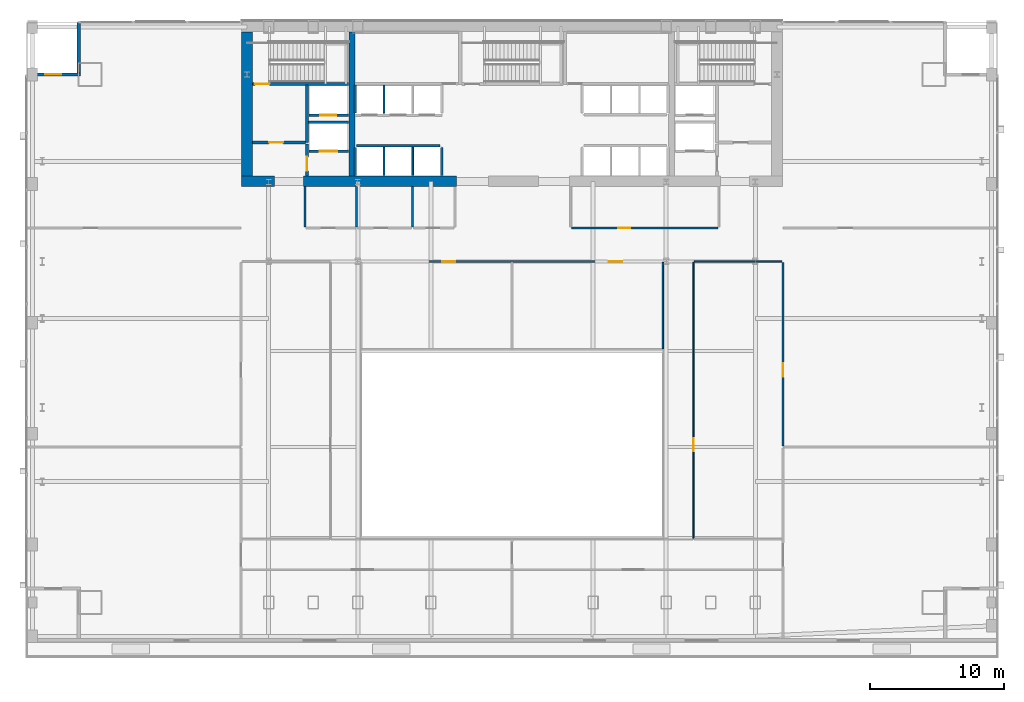
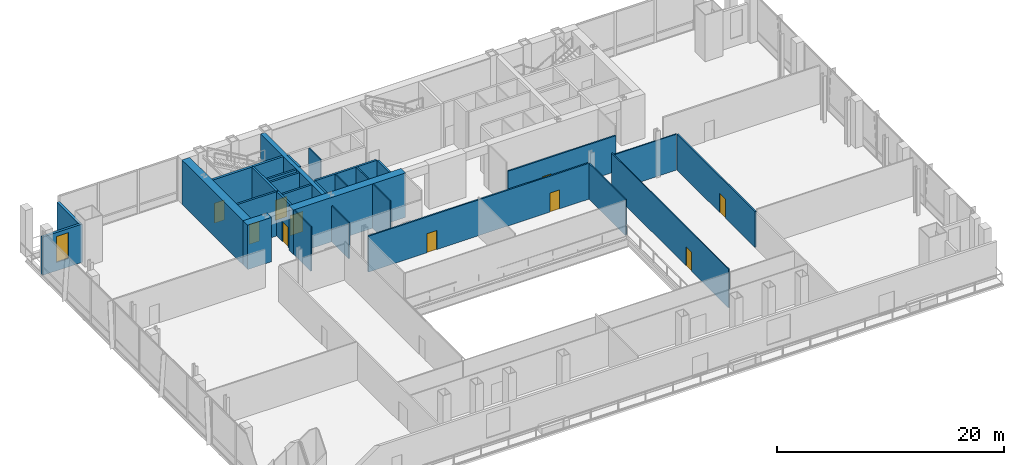
# One storey, part 20 of 25: 29 walls, 10 doors, 1 window, 11 openings.
"""IFC4 building model written with IfcOpenShell, lengths in metres."""

from ifc_helpers import new_model, si_unit, direction, frame, frame_2d, origin, place, context, subcontext, project, spatial, rectangle, extrude, material, layer, layer_set, type_object, element, fill, save


model = new_model("IFC4")

# Units and contexts
model_context = context("Model", 3, precision=1e-05, world=origin(), true_north=direction((0.0, 1.0)))
body_context = subcontext(model_context, "Body", "Model", "MODEL_VIEW")
ifc_project = project(units=[si_unit("LENGTHUNIT", "METRE"), si_unit("AREAUNIT", "SQUARE_METRE"), si_unit("VOLUMEUNIT", "CUBIC_METRE"), si_unit("PLANEANGLEUNIT", "RADIAN"), si_unit("MASSUNIT", "GRAM", prefix="KILO")], contexts=[model_context])

# Site, building, storey
site_placement = place(None, origin())
site = spatial("IfcSite", under=ifc_project, at=site_placement, CompositionType="ELEMENT")
building_placement = place(site_placement, origin())
building = spatial("IfcBuilding", under=site, at=building_placement, Name="Khoronbel Lancet Exchange", CompositionType="ELEMENT")
storey_placement = place(building_placement, frame((0.0, 0.0, 15.39990234375)))
storey = spatial("IfcBuildingStorey", under=building, at=storey_placement, Name="L03", CompositionType="ELEMENT", Elevation=15.39990234375)

# Walls
ifc_material_1 = material(Name="Concrete C80/95", Category="concrete")
ifc_layer_1 = layer(ifc_material_1, 0.800048828125, Name="Concrete C80/95")
ifc_layer_set_1 = layer_set([ifc_layer_1], Name="Concrete C80/95")
wall_type_1 = type_object("IfcWallType", Name="WL-CW1", PredefinedType="SHEAR", material=ifc_layer_set_1)
wall_1_placement = place(storey_placement, frame((16.60009765625, 42.10009765625, 0.0), z_axis=(0.0, 0.0, 1.0), x_axis=(0.0, 1.0, 0.0)))
element("IfcWall", 1, at=wall_1_placement, inside=storey, type_object=wall_type_1, Name="Level L03 rear core west shear wall", PredefinedType="SHEAR", context=body_context, shape_type="SweptSolid", body=[
    extrude(rectangle(XDim=10.7998046875, YDim=0.800048828125, at=frame_2d((5.39990234375, 0.0))), origin(), (0.0, 0.0, 1.0), 4.780029296875),
])
wall_2_placement = place(storey_placement, frame((18.64990234375, 41.699951171875, 0.0), z_axis=(0.0, 0.0, 1.0), x_axis=(-1.0, 0.0, 0.0)))
element("IfcWall", 2, at=wall_2_placement, inside=storey, type_object=wall_type_1, Name="Level L03 rear core south shear wall pier P1", PredefinedType="SHEAR", context=body_context, shape_type="SweptSolid", body=[
    extrude(rectangle(XDim=2.449951171875, YDim=0.800048828125, at=frame_2d((1.22509765625, 0.0))), origin(), (0.0, 0.0, 1.0), 4.780029296875),
])
wall_3_placement = place(storey_placement, frame((32.300048828125, 41.699951171875, 0.0), z_axis=(0.0, 0.0, 1.0), x_axis=(-1.0, 0.0, 0.0)))
element("IfcWall", 3, at=wall_3_placement, inside=storey, type_object=wall_type_1, Name="Level L03 rear core south shear wall pier P2", PredefinedType="SHEAR", context=body_context, shape_type="SweptSolid", body=[
    extrude(rectangle(XDim=11.449951171875, YDim=0.800048828125, at=frame_2d((5.72509765625, 0.0))), origin(), (0.0, 0.0, 1.0), 4.780029296875),
])

# Wall, opening, window
ifc_material_2 = material(Name="Precast concrete C40/50", Category="concrete")
ifc_layer_2 = layer(ifc_material_2, 0.25, Name="Precast concrete C40/50")
ifc_layer_set_2 = layer_set([ifc_layer_2], Name="Precast concrete C40/50")
wall_type_2 = type_object("IfcWallType", Name="WL-EXT250", PredefinedType="SOLIDWALL", material=ifc_layer_set_2)
wall_4_placement = place(storey_placement, frame((0.080078125, 49.699951171875, 0.0), z_axis=(0.0, 0.0, 1.0), x_axis=(1.0, 0.0, 0.0)))
wall_4 = element("IfcWall", 4, at=wall_4_placement, inside=storey, type_object=wall_type_2, Name="Level L03 corner notch exterior wall NWL3", PredefinedType="SOLIDWALL", context=body_context, shape_type="SweptSolid", body=[
    extrude(rectangle(XDim=4.044921875, YDim=0.25, at=frame_2d((2.0224609375, 0.0))), origin(), (0.0, 0.0, 1.0), 4.1201171875),
])
opening_1_placement = place(wall_4_placement, frame((1.422607421875, 0.0, 0.89990234375)))
opening_1 = element("IfcOpeningElement", 5, at=opening_1_placement, cuts=wall_4, Name="Opening W2", PredefinedType="OPENING", context=body_context, shape_type="SweptSolid", body=[
    extrude(rectangle(XDim=1.199951171875, YDim=2.800048828125, at=frame_2d((0.60009765625, 1.39990234375))), frame((0.0, 0.135009765625, 0.0), z_axis=(0.0, -1.0, 0.0), x_axis=(1.0, 0.0, 0.0)), (0.0, 0.0, 1.0), 0.27001953125),
])
ifc_material_3 = material(Name="Low-E Solar Control Insulating Glass", Category="glass")
window_type = type_object("IfcWindowType", Name="WIN-W2", PartitioningType="SINGLE_PANEL", PredefinedType="WINDOW", material=ifc_material_3)
window_placement = place(opening_1_placement, origin())
window = element("IfcWindow", 6, at=window_placement, inside=storey, type_object=window_type, Name="WIN-L03-NWL3", OverallHeight=2.800048828125, OverallWidth=1.199951171875, PartitioningType="SINGLE_PANEL", PredefinedType="WINDOW", context=body_context, shape_type="SweptSolid", body=[
    extrude(rectangle(XDim=1.199951171875, YDim=2.800048828125, at=frame_2d((0.60009765625, 1.39990234375))), frame((0.0, 0.030029296875, 0.0), z_axis=(0.0, -1.0, 0.0), x_axis=(1.0, 0.0, 0.0)), (0.0, 0.0, 1.0), 0.06005859375),
])
fill(opening_1, window)

# Wall
wall_5_placement = place(storey_placement, frame((4.0, 49.824951171875, 0.0), z_axis=(0.0, 0.0, 1.0), x_axis=(0.0, 1.0, 0.0)))
element("IfcWall", 7, at=wall_5_placement, inside=storey, type_object=wall_type_2, Name="Level L03 corner notch exterior wall NWV3", PredefinedType="SOLIDWALL", context=body_context, shape_type="SweptSolid", body=[
    extrude(rectangle(XDim=3.795166015625, YDim=0.25, at=frame_2d((1.8974609375, 0.0))), origin(), (0.0, 0.0, 1.0), 4.1201171875),
])

# Wall, opening, door
ifc_material_4 = material(Name="Demountable Bronze-Framed Acoustic Glass Partition 100 mm", Category="glass")
ifc_layer_3 = layer(ifc_material_4, 0.10009765625, Name="Demountable Bronze-Framed Acoustic Glass Partition 100 mm")
ifc_layer_set_3 = layer_set([ifc_layer_3], Name="Demountable Bronze-Framed Acoustic Glass Partition 100 mm")
wall_type_3 = type_object("IfcWallType", Name="WL-MOV100", PredefinedType="MOVABLE", material=ifc_layer_set_3)
wall_6_placement = place(storey_placement, frame((50.050048828125, 14.965087890625, 0.0), z_axis=(0.0, 0.0, 1.0), x_axis=(0.0, 1.0, 0.0)))
wall_6 = element("IfcWall", 8, at=wall_6_placement, inside=storey, type_object=wall_type_3, Name="Level L03 interior partition PW-PD-MEW", PredefinedType="MOVABLE", context=body_context, shape_type="SweptSolid", body=[
    extrude(rectangle(XDim=20.669921875, YDim=0.10009765625, at=frame_2d((10.3349609375, 0.0))), origin(), (0.0, 0.0, 1.0), 4.170166015625),
])
opening_2_placement = place(wall_6_placement, frame((6.5, 0.0, 0.0)))
opening_2 = element("IfcOpeningElement", 9, at=opening_2_placement, cuts=wall_6, Name="Opening D8", PredefinedType="OPENING", context=body_context, shape_type="SweptSolid", body=[
    extrude(rectangle(XDim=1.0, YDim=2.050048828125, at=frame_2d((0.5, 1.02490234375))), frame((0.0, 0.06005859375, 0.0), z_axis=(0.0, -1.0, 0.0), x_axis=(1.0, 0.0, 0.0)), (0.0, 0.0, 1.0), 0.1201171875),
])
ifc_material_5 = material(Name="Acoustic Bronze-Framed Glass Suite Door", Category="glass")
door_type_1 = type_object("IfcDoorType", Name="DR-D8", OperationType="NOTDEFINED", PredefinedType="DOOR", material=ifc_material_5)
door_1_placement = place(opening_2_placement, origin())
door_1 = element("IfcDoor", 10, at=door_1_placement, inside=storey, type_object=door_type_1, Name="East mezzanine research suite door L03-1", OperationType="SINGLE_SWING_LEFT", OverallHeight=2.050048828125, OverallWidth=1.0, PredefinedType="DOOR", context=body_context, shape_type="SweptSolid", body=[
    extrude(rectangle(XDim=1.0, YDim=2.050048828125, at=frame_2d((0.5, 1.02490234375))), frame((0.0, 0.02490234375, 0.0), z_axis=(0.0, -1.0, 0.0), x_axis=(1.0, 0.0, 0.0)), (0.0, 0.0, 1.0), 0.050048828125),
])
fill(opening_2, door_1)

# Walls
ifc_material_6 = material(Name="Acoustic Metal-Stud & Mineral-Wool Gypsum Partition 120 mm", Category="gypsum")
ifc_layer_4 = layer(ifc_material_6, 0.1201171875, Name="Acoustic Metal-Stud & Mineral-Wool Gypsum Partition 120 mm")
ifc_layer_set_4 = layer_set([ifc_layer_4], Name="Acoustic Metal-Stud & Mineral-Wool Gypsum Partition 120 mm")
wall_type_4 = type_object("IfcWallType", Name="WL-PRT120", PredefinedType="PARTITIONING", material=ifc_layer_set_4)
wall_7_placement = place(storey_placement, frame((47.75, 29.175048828125, 0.0), z_axis=(0.0, 0.0, 1.0), x_axis=(0.0, 1.0, 0.0)))
element("IfcWall", 11, at=wall_7_placement, inside=storey, type_object=wall_type_4, Name="Level L03 interior partition PW-PD-NSE", PredefinedType="PARTITIONING", context=body_context, shape_type="SweptSolid", body=[
    extrude(rectangle(XDim=6.445068359375, YDim=0.1201171875, at=frame_2d((3.22265625, 0.0))), origin(), (0.0, 0.0, 1.0), 3.8701171875),
])
wall_8_placement = place(storey_placement, frame((20.949951171875, 38.280029296875, 0.0), z_axis=(0.0, 0.0, 1.0), x_axis=(0.0, 1.0, 0.0)))
element("IfcWall", 12, at=wall_8_placement, inside=storey, type_object=wall_type_4, Name="Level L03 interior partition PW-PD-WC0", PredefinedType="PARTITIONING", context=body_context, shape_type="SweptSolid", body=[
    extrude(rectangle(XDim=3.02001953125, YDim=0.1201171875, at=frame_2d((1.510009765625, 0.0))), origin(), (0.0, 0.0, 1.0), 4.780029296875),
])
wall_9_placement = place(storey_placement, frame((24.800048828125, 38.280029296875, 0.0), z_axis=(0.0, 0.0, 1.0), x_axis=(0.0, 1.0, 0.0)))
element("IfcWall", 13, at=wall_9_placement, inside=storey, type_object=wall_type_4, Name="Level L03 interior partition PW-PD-WC1", PredefinedType="PARTITIONING", context=body_context, shape_type="SweptSolid", body=[
    extrude(rectangle(XDim=3.02001953125, YDim=0.1201171875, at=frame_2d((1.510009765625, 0.0))), origin(), (0.0, 0.0, 1.0), 3.8701171875),
])
wall_10_placement = place(storey_placement, frame((29.0, 38.280029296875, 0.0), z_axis=(0.0, 0.0, 1.0), x_axis=(0.0, 1.0, 0.0)))
element("IfcWall", 14, at=wall_10_placement, inside=storey, type_object=wall_type_4, Name="Level L03 interior partition PW-PD-WC2", PredefinedType="PARTITIONING", context=body_context, shape_type="SweptSolid", body=[
    extrude(rectangle(XDim=3.02001953125, YDim=0.1201171875, at=frame_2d((1.510009765625, 0.0))), origin(), (0.0, 0.0, 1.0), 4.780029296875),
])
wall_11_placement = place(storey_placement, frame((50.10498046875, 35.699951171875, 0.0), z_axis=(0.0, 0.0, 1.0), x_axis=(1.0, 0.0, 0.0)))
element("IfcWall", 15, at=wall_11_placement, inside=storey, type_object=wall_type_4, Name="Level L03 interior partition PW-PD-MES", PredefinedType="PARTITIONING", context=body_context, shape_type="SweptSolid", body=[
    extrude(rectangle(XDim=6.554931640625, YDim=0.1201171875, at=frame_2d((3.27734375, 0.0))), origin(), (0.0, 0.0, 1.0), 3.8701171875),
])
ifc_material_7 = material(Name="Fire-Rated Metal-Stud & Mineral-Wool Gypsum Partition 120 mm", Category="gypsum")
ifc_layer_5 = layer(ifc_material_7, 0.1201171875, Name="Fire-Rated Metal-Stud & Mineral-Wool Gypsum Partition 120 mm")
ifc_layer_set_5 = layer_set([ifc_layer_5], Name="Fire-Rated Metal-Stud & Mineral-Wool Gypsum Partition 120 mm")
wall_type_5 = type_object("IfcWallType", Name="WL-PRT120F", PredefinedType="PARTITIONING", material=ifc_layer_set_5)
wall_12_placement = place(storey_placement, frame((26.860107421875, 46.800048828125, 0.0), z_axis=(0.0, 0.0, 1.0), x_axis=(0.0, 1.0, 0.0)))
element("IfcWall", 16, at=wall_12_placement, inside=storey, type_object=wall_type_5, Name="Level L03 interior partition CW-PL-D1", PredefinedType="PARTITIONING", context=body_context, shape_type="SweptSolid", body=[
    extrude(rectangle(XDim=2.094970703125, YDim=0.1201171875, at=frame_2d((1.04736328125, 0.0))), origin(), (0.0, 0.0, 1.0), 4.780029296875),
])
for number, where, z_axis, x_axis, name in (
    (17, (26.860107421875, 42.14990234375, 0.0), (0.0, 0.0, 1.0), (0.0, 1.0, 0.0), "Level L03 interior partition CW-PM-D1"),
    (18, (29.02001953125, 42.14990234375, 0.0), (0.0, 0.0, 1.0), (0.0, 1.0, 0.0), "Level L03 interior partition CW-PM-D2"),
):
    element("IfcWall", number, at=place(storey_placement, frame(where, z_axis=z_axis, x_axis=x_axis)), inside=storey, type_object=wall_type_5, Name=name, PredefinedType="PARTITIONING", context=body_context, shape_type="SweptSolid", body=[
        extrude(rectangle(XDim=2.09521484375, YDim=0.1201171875, at=frame_2d((1.047607421875, 0.0))), origin(), (0.0, 0.0, 1.0), 4.780029296875),
    ])

# Wall, opening, door
ifc_material_8 = material(Name="Fire-Rated Twin-Stud Acoustic Gypsum Partition 150 mm", Category="gypsum")
ifc_layer_6 = layer(ifc_material_8, 0.14990234375, Name="Fire-Rated Twin-Stud Acoustic Gypsum Partition 150 mm")
ifc_layer_set_6 = layer_set([ifc_layer_6], Name="Fire-Rated Twin-Stud Acoustic Gypsum Partition 150 mm")
wall_type_6 = type_object("IfcWallType", Name="WL-PRT150C", PredefinedType="PARTITIONING", material=ifc_layer_set_6)
wall_13_placement = place(storey_placement, frame((56.739990234375, 21.864990234375, 0.0), z_axis=(0.0, 0.0, 1.0), x_axis=(0.0, 1.0, 0.0)))
wall_13 = element("IfcWall", 19, at=wall_13_placement, inside=storey, type_object=wall_type_6, Name="Level L03 interior partition PW-PD-EW2", PredefinedType="PARTITIONING", context=body_context, shape_type="SweptSolid", body=[
    extrude(rectangle(XDim=13.77001953125, YDim=0.14990234375, at=frame_2d((6.885009765625, 0.0))), origin(), (0.0, 0.0, 1.0), 3.8701171875),
])
opening_3_placement = place(wall_13_placement, frame((5.199951171875, 0.0, 0.0)))
opening_3 = element("IfcOpeningElement", 20, at=opening_3_placement, cuts=wall_13, Name="Opening D2", PredefinedType="OPENING", context=body_context, shape_type="SweptSolid", body=[
    extrude(rectangle(XDim=1.0, YDim=2.050048828125, at=frame_2d((0.5, 1.02490234375))), frame((0.0, 0.0849609375, 0.0), z_axis=(0.0, -1.0, 0.0), x_axis=(1.0, 0.0, 0.0)), (0.0, 0.0, 1.0), 0.169921875),
])
ifc_material_9 = material(Name="Acoustic Veneered Timber & Bronze Frame Door", Category="wood")
door_type_2 = type_object("IfcDoorType", Name="DR-D2", OperationType="NOTDEFINED", PredefinedType="DOOR", material=ifc_material_9)
door_2_placement = place(opening_3_placement, origin())
door_2 = element("IfcDoor", 21, at=door_2_placement, inside=storey, type_object=door_type_2, Name="East podium regulatory suite door L03-1", OperationType="SINGLE_SWING_LEFT", OverallHeight=2.050048828125, OverallWidth=1.0, PredefinedType="DOOR", context=body_context, shape_type="SweptSolid", body=[
    extrude(rectangle(XDim=1.0, YDim=2.050048828125, at=frame_2d((0.5, 1.02490234375))), frame((0.0, 0.02490234375, 0.0), z_axis=(0.0, -1.0, 0.0), x_axis=(1.0, 0.0, 0.0)), (0.0, 0.0, 1.0), 0.050048828125),
])
fill(opening_3, door_2)

# Wall, openings, doors
wall_14_placement = place(storey_placement, frame((25.215087890625, 35.699951171875, 0.0), z_axis=(0.0, 0.0, 1.0), x_axis=(1.0, 0.0, 0.0)))
wall_14 = element("IfcWall", 22, at=wall_14_placement, inside=storey, type_object=wall_type_6, Name="Level L03 interior partition PW-PD-NSN", PredefinedType="PARTITIONING", context=body_context, shape_type="SweptSolid", body=[
    extrude(rectangle(XDim=22.469970703125, YDim=0.14990234375, at=frame_2d((11.23486328125, 0.0))), origin(), (0.0, 0.0, 1.0), 3.8701171875),
])
opening_4_placement = place(wall_14_placement, frame((6.0, 0.0, 0.0)))
opening_4 = element("IfcOpeningElement", 23, at=opening_4_placement, cuts=wall_14, Name="Opening D2", PredefinedType="OPENING", context=body_context, shape_type="SweptSolid", body=[
    extrude(rectangle(XDim=1.0, YDim=2.050048828125, at=frame_2d((0.5, 1.02490234375))), frame((0.0, 0.0849609375, 0.0), z_axis=(0.0, -1.0, 0.0), x_axis=(1.0, 0.0, 0.0)), (0.0, 0.0, 1.0), 0.169921875),
])
opening_5_placement = place(wall_14_placement, frame((18.5, 0.0, 0.0)))
opening_5 = element("IfcOpeningElement", 24, at=opening_5_placement, cuts=wall_14, Name="Opening D2", PredefinedType="OPENING", context=body_context, shape_type="SweptSolid", body=[
    extrude(rectangle(XDim=1.0, YDim=2.050048828125, at=frame_2d((0.5, 1.02490234375))), frame((0.0, 0.0849609375, 0.0), z_axis=(0.0, -1.0, 0.0), x_axis=(1.0, 0.0, 0.0)), (0.0, 0.0, 1.0), 0.169921875),
])
door_3_placement = place(opening_4_placement, origin())
door_3 = element("IfcDoor", 25, at=door_3_placement, inside=storey, type_object=door_type_2, Name="North mezzanine conference room door L03-1", OperationType="SINGLE_SWING_RIGHT", OverallHeight=2.050048828125, OverallWidth=1.0, PredefinedType="DOOR", context=body_context, shape_type="SweptSolid", body=[
    extrude(rectangle(XDim=1.0, YDim=2.050048828125, at=frame_2d((0.5, 1.02490234375))), frame((0.0, 0.02490234375, 0.0), z_axis=(0.0, -1.0, 0.0), x_axis=(1.0, 0.0, 0.0)), (0.0, 0.0, 1.0), 0.050048828125),
])
fill(opening_4, door_3)
door_4_placement = place(opening_5_placement, origin())
door_4 = element("IfcDoor", 26, at=door_4_placement, inside=storey, type_object=door_type_2, Name="North mezzanine espresso lounge door L03-2", OperationType="SINGLE_SWING_LEFT", OverallHeight=2.050048828125, OverallWidth=1.0, PredefinedType="DOOR", context=body_context, shape_type="SweptSolid", body=[
    extrude(rectangle(XDim=1.0, YDim=2.050048828125, at=frame_2d((0.5, 1.02490234375))), frame((0.0, 0.02490234375, 0.0), z_axis=(0.0, -1.0, 0.0), x_axis=(1.0, 0.0, 0.0)), (0.0, 0.0, 1.0), 0.050048828125),
])
fill(opening_5, door_4)

# Wall, opening, door
wall_15_placement = place(storey_placement, frame((40.9150390625, 38.199951171875, 0.0), z_axis=(0.0, 0.0, 1.0), x_axis=(1.0, 0.0, 0.0)))
wall_15 = element("IfcWall", 27, at=wall_15_placement, inside=storey, type_object=wall_type_6, Name="Level L03 interior partition PW-PD-NP", PredefinedType="PARTITIONING", context=body_context, shape_type="SweptSolid", body=[
    extrude(rectangle(XDim=10.969970703125, YDim=0.14990234375, at=frame_2d((5.48486328125, 0.0))), origin(), (0.0, 0.0, 1.0), 3.8701171875),
])
opening_6_placement = place(wall_15_placement, frame((3.5, 0.0, 0.0)))
opening_6 = element("IfcOpeningElement", 28, at=opening_6_placement, cuts=wall_15, Name="Opening D5", PredefinedType="OPENING", context=body_context, shape_type="SweptSolid", body=[
    extrude(rectangle(XDim=0.89990234375, YDim=2.050048828125, at=frame_2d((0.449951171875, 1.02490234375))), frame((0.0, 0.0849609375, 0.0), z_axis=(0.0, -1.0, 0.0), x_axis=(1.0, 0.0, 0.0)), (0.0, 0.0, 1.0), 0.169921875),
])
ifc_material_10 = material(Name="Acoustic Timber Pantry & Support Door", Category="wood")
door_type_3 = type_object("IfcDoorType", Name="DR-D5", OperationType="NOTDEFINED", PredefinedType="DOOR", material=ifc_material_10)
door_5_placement = place(opening_6_placement, origin())
door_5 = element("IfcDoor", 29, at=door_5_placement, inside=storey, type_object=door_type_3, Name="Podium servery pantry door L03-1", OperationType="SINGLE_SWING_LEFT", OverallHeight=2.050048828125, OverallWidth=0.89990234375, PredefinedType="DOOR", context=body_context, shape_type="SweptSolid", body=[
    extrude(rectangle(XDim=0.89990234375, YDim=2.050048828125, at=frame_2d((0.449951171875, 1.02490234375))), frame((0.0, 0.02490234375, 0.0), z_axis=(0.0, -1.0, 0.0), x_axis=(1.0, 0.0, 0.0)), (0.0, 0.0, 1.0), 0.050048828125),
])
fill(opening_6, door_5)

ifc_material_11 = material(Name="Autoclaved Aerated Concrete Blockwork 200 mm", Category="masonry")
ifc_layer_7 = layer(ifc_material_11, 0.199951171875, Name="Autoclaved Aerated Concrete Blockwork 200 mm")
ifc_layer_set_7 = layer_set([ifc_layer_7], Name="Autoclaved Aerated Concrete Blockwork 200 mm")
wall_type_7 = type_object("IfcWallType", Name="WL-PRT200", PredefinedType="PARTITIONING", material=ifc_layer_set_7)
wall_16_placement = place(storey_placement, frame((24.2099609375, 43.949951171875, 0.0), z_axis=(0.0, 0.0, 1.0), x_axis=(-1.0, 0.0, 0.0)))
wall_16 = element("IfcWall", 30, at=wall_16_placement, inside=storey, type_object=wall_type_7, Name="Level L03 elevator hoistway landing front wall SVLW", PredefinedType="PARTITIONING", context=body_context, shape_type="SweptSolid", body=[
    extrude(rectangle(XDim=2.969970703125, YDim=0.199951171875, at=frame_2d((1.48486328125, 0.0))), origin(), (0.0, 0.0, 1.0), 4.780029296875),
])
opening_7_placement = place(wall_16_placement, frame((0.860107421875, 0.0, 0.0)))
opening_7 = element("IfcOpeningElement", 31, at=opening_7_placement, cuts=wall_16, Name="Opening LD-SVL1", PredefinedType="OPENING", context=body_context, shape_type="SweptSolid", body=[
    extrude(rectangle(XDim=1.300048828125, YDim=2.179931640625, at=frame_2d((0.64990234375, 1.08984375))), frame((0.0, 0.10986328125, 0.0), z_axis=(0.0, -1.0, 0.0), x_axis=(1.0, 0.0, 0.0)), (0.0, 0.0, 1.0), 0.219970703125),
])
ifc_material_12 = material(Name="Heavy-Duty Bi-Parting Goods Lift Landing Door", Category="steel")
door_type_4 = type_object("IfcDoorType", Name="DR-LD-SVL", OperationType="NOTDEFINED", PredefinedType="DOOR", material=ifc_material_12)
door_6_placement = place(opening_7_placement, origin())
door_6 = element("IfcDoor", 32, at=door_6_placement, inside=storey, type_object=door_type_4, Name="Elevator landing sliding door LD-SVL1 L03", OperationType="SLIDING_TO_LEFT", OverallHeight=2.179931640625, OverallWidth=1.300048828125, PredefinedType="DOOR", context=body_context, shape_type="SweptSolid", body=[
    extrude(rectangle(XDim=1.300048828125, YDim=2.179931640625, at=frame_2d((0.64990234375, 1.08984375))), frame((0.0, 0.02490234375, 0.0), z_axis=(0.0, -1.0, 0.0), x_axis=(1.0, 0.0, 0.0)), (0.0, 0.0, 1.0), 0.050048828125),
])
fill(opening_7, door_6)

wall_17_placement = place(storey_placement, frame((24.2099609375, 46.64990234375, 0.0), z_axis=(0.0, 0.0, 1.0), x_axis=(-1.0, 0.0, 0.0)))
wall_17 = element("IfcWall", 33, at=wall_17_placement, inside=storey, type_object=wall_type_7, Name="Level L03 elevator hoistway landing front wall FFLW", PredefinedType="PARTITIONING", context=body_context, shape_type="SweptSolid", body=[
    extrude(rectangle(XDim=2.969970703125, YDim=0.199951171875, at=frame_2d((1.48486328125, 0.0))), origin(), (0.0, 0.0, 1.0), 4.780029296875),
])
opening_8_placement = place(wall_17_placement, frame((0.909912109375, 0.0, 0.0)))
opening_8 = element("IfcOpeningElement", 34, at=opening_8_placement, cuts=wall_17, Name="Opening LD-FFL1", PredefinedType="OPENING", context=body_context, shape_type="SweptSolid", body=[
    extrude(rectangle(XDim=1.199951171875, YDim=2.179931640625, at=frame_2d((0.60009765625, 1.08984375))), frame((0.0, 0.10986328125, 0.0), z_axis=(0.0, -1.0, 0.0), x_axis=(1.0, 0.0, 0.0)), (0.0, 0.0, 1.0), 0.219970703125),
])
ifc_material_13 = material(Name="Fire-Rated Stainless Bi-Parting Firefighting Lift Door", Category="steel")
door_type_5 = type_object("IfcDoorType", Name="DR-LD-FFL", OperationType="NOTDEFINED", PredefinedType="DOOR", material=ifc_material_13)
door_7_placement = place(opening_8_placement, origin())
door_7 = element("IfcDoor", 35, at=door_7_placement, inside=storey, type_object=door_type_5, Name="Elevator landing sliding door LD-FFL1 L03", OperationType="SLIDING_TO_LEFT", OverallHeight=2.179931640625, OverallWidth=1.199951171875, PredefinedType="DOOR", context=body_context, shape_type="SweptSolid", body=[
    extrude(rectangle(XDim=1.199951171875, YDim=2.179931640625, at=frame_2d((0.60009765625, 1.08984375))), frame((0.0, 0.02490234375, 0.0), z_axis=(0.0, -1.0, 0.0), x_axis=(1.0, 0.0, 0.0)), (0.0, 0.0, 1.0), 0.050048828125),
])
fill(opening_8, door_7)

# Wall
wall_18_placement = place(storey_placement, frame((21.10009765625, 44.60009765625, 0.0), z_axis=(0.0, 0.0, 1.0), x_axis=(0.0, 1.0, 0.0)))
element("IfcWall", 36, at=wall_18_placement, inside=storey, type_object=wall_type_7, Name="Level L03 interior partition CW-FFLW-E", PredefinedType="PARTITIONING", context=body_context, shape_type="SweptSolid", body=[
    extrude(rectangle(XDim=4.2998046875, YDim=0.199951171875, at=frame_2d((2.14990234375, 0.0))), origin(), (0.0, 0.0, 1.0), 4.780029296875),
])

# Wall, opening, door
wall_19_placement = place(storey_placement, frame((17.0, 44.60009765625, 0.0), z_axis=(0.0, 0.0, 1.0), x_axis=(1.0, 0.0, 0.0)))
wall_19 = element("IfcWall", 37, at=wall_19_placement, inside=storey, type_object=wall_type_7, Name="Level L03 interior partition CW-FFLW-S", PredefinedType="PARTITIONING", context=body_context, shape_type="SweptSolid", body=[
    extrude(rectangle(XDim=4.0, YDim=0.199951171875, at=frame_2d((2.0, 0.0))), origin(), (0.0, 0.0, 1.0), 4.780029296875),
])
opening_9_placement = place(wall_19_placement, frame((1.25, 0.0, 0.0)))
opening_9 = element("IfcOpeningElement", 38, at=opening_9_placement, cuts=wall_19, Name="Opening FD1", PredefinedType="OPENING", context=body_context, shape_type="SweptSolid", body=[
    extrude(rectangle(XDim=1.050048828125, YDim=2.14990234375, at=frame_2d((0.52490234375, 1.074951171875))), frame((0.0, 0.10986328125, 0.0), z_axis=(0.0, -1.0, 0.0), x_axis=(1.0, 0.0, 0.0)), (0.0, 0.0, 1.0), 0.219970703125),
])
ifc_material_14 = material(Name="Fire-Rated Painted Steel Door Assembly", Category="steel")
door_type_6 = type_object("IfcDoorType", Name="DR-FD1", OperationType="NOTDEFINED", PredefinedType="DOOR", material=ifc_material_14)
door_8_placement = place(opening_9_placement, origin())
door_8 = element("IfcDoor", 39, at=door_8_placement, inside=storey, type_object=door_type_6, Name="West firefighting lobby FD90S door L03-1", OperationType="SINGLE_SWING_RIGHT", OverallHeight=2.14990234375, OverallWidth=1.050048828125, PredefinedType="DOOR", context=body_context, shape_type="SweptSolid", body=[
    extrude(rectangle(XDim=1.050048828125, YDim=2.14990234375, at=frame_2d((0.52490234375, 1.074951171875))), frame((0.0, 0.02490234375, 0.0), z_axis=(0.0, -1.0, 0.0), x_axis=(1.0, 0.0, 0.0)), (0.0, 0.0, 1.0), 0.050048828125),
])
fill(opening_9, door_8)

# Wall
wall_20_placement = place(storey_placement, frame((21.199951171875, 46.1201171875, 0.0), z_axis=(0.0, 0.0, 1.0), x_axis=(1.0, 0.0, 0.0)))
element("IfcWall", 40, at=wall_20_placement, inside=storey, type_object=wall_type_7, Name="Level L03 interior partition CW-FFL1-S", PredefinedType="PARTITIONING", context=body_context, shape_type="SweptSolid", body=[
    extrude(rectangle(XDim=3.02001953125, YDim=0.199951171875, at=frame_2d((1.510009765625, 0.0))), origin(), (0.0, 0.0, 1.0), 4.780029296875),
])

# Wall, opening, door
wall_21_placement = place(storey_placement, frame((21.10009765625, 42.10009765625, 0.0), z_axis=(0.0, 0.0, 1.0), x_axis=(0.0, 1.0, 0.0)))
wall_21 = element("IfcWall", 41, at=wall_21_placement, inside=storey, type_object=wall_type_7, Name="Level L03 interior partition CW-SVLW-W", PredefinedType="PARTITIONING", context=body_context, shape_type="SweptSolid", body=[
    extrude(rectangle(XDim=2.39501953125, YDim=0.199951171875, at=frame_2d((1.197509765625, 0.0))), origin(), (0.0, 0.0, 1.0), 4.780029296875),
])
opening_10_placement = place(wall_21_placement, frame((0.3798828125, 0.0, 0.0)))
opening_10 = element("IfcOpeningElement", 42, at=opening_10_placement, cuts=wall_21, Name="Opening FD1", PredefinedType="OPENING", context=body_context, shape_type="SweptSolid", body=[
    extrude(rectangle(XDim=1.050048828125, YDim=2.14990234375, at=frame_2d((0.52490234375, 1.074951171875))), frame((0.0, 0.10986328125, 0.0), z_axis=(0.0, -1.0, 0.0), x_axis=(1.0, 0.0, 0.0)), (0.0, 0.0, 1.0), 0.219970703125),
])
door_9_placement = place(opening_10_placement, origin())
door_9 = element("IfcDoor", 43, at=door_9_placement, inside=storey, type_object=door_type_6, Name="West service lift lobby door L03-1", OperationType="SINGLE_SWING_LEFT", OverallHeight=2.14990234375, OverallWidth=1.050048828125, PredefinedType="DOOR", context=body_context, shape_type="SweptSolid", body=[
    extrude(rectangle(XDim=1.050048828125, YDim=2.14990234375, at=frame_2d((0.52490234375, 1.074951171875))), frame((0.0, 0.02490234375, 0.0), z_axis=(0.0, -1.0, 0.0), x_axis=(1.0, 0.0, 0.0)), (0.0, 0.0, 1.0), 0.050048828125),
])
fill(opening_10, door_9)

# Walls
wall_22_placement = place(storey_placement, frame((24.699951171875, 46.800048828125, 0.0), z_axis=(0.0, 0.0, 1.0), x_axis=(0.0, 1.0, 0.0)))
element("IfcWall", 44, at=wall_22_placement, inside=storey, type_object=wall_type_7, Name="Level L03 interior partition CW-PL-W", PredefinedType="PARTITIONING", context=body_context, shape_type="SweptSolid", body=[
    extrude(rectangle(XDim=2.094970703125, YDim=0.199951171875, at=frame_2d((1.04736328125, 0.0))), origin(), (0.0, 0.0, 1.0), 4.780029296875),
])
wall_23_placement = place(storey_placement, frame((24.804931640625, 44.35009765625, 0.0), z_axis=(0.0, 0.0, 1.0), x_axis=(1.0, 0.0, 0.0)))
element("IfcWall", 45, at=wall_23_placement, inside=storey, type_object=wall_type_7, Name="Level L03 interior partition CW-PM-EXP", PredefinedType="PARTITIONING", context=body_context, shape_type="SweptSolid", body=[
    extrude(rectangle(XDim=6.27001953125, YDim=0.199951171875, at=frame_2d((3.135009765625, 0.0))), origin(), (0.0, 0.0, 1.0), 4.780029296875),
])
for number, where, z_axis, x_axis, name in (
    (46, (24.699951171875, 42.14990234375, 0.0), (0.0, 0.0, 1.0), (0.0, 1.0, 0.0), "Level L03 interior partition CW-PM-W"),
    (47, (31.179931640625, 42.14990234375, 0.0), (0.0, 0.0, 1.0), (0.0, 1.0, 0.0), "Level L03 interior partition CW-PM-E"),
):
    element("IfcWall", number, at=place(storey_placement, frame(where, z_axis=z_axis, x_axis=x_axis)), inside=storey, type_object=wall_type_7, Name=name, PredefinedType="PARTITIONING", context=body_context, shape_type="SweptSolid", body=[
        extrude(rectangle(XDim=2.09521484375, YDim=0.199951171875, at=frame_2d((1.047607421875, 0.0))), origin(), (0.0, 0.0, 1.0), 4.780029296875),
    ])
ifc_layer_8 = layer(ifc_material_1, 0.449951171875, Name="Concrete C80/95")
ifc_layer_set_8 = layer_set([ifc_layer_8], Name="Concrete C80/95")
wall_type_8 = type_object("IfcWallType", Name="WL-SW1", PredefinedType="SHEAR", material=ifc_layer_set_8)
wall_24_placement = place(storey_placement, frame((24.449951171875, 42.10009765625, 0.0), z_axis=(0.0, 0.0, 1.0), x_axis=(0.0, 1.0, 0.0)))
element("IfcWall", 48, at=wall_24_placement, inside=storey, type_object=wall_type_8, Name="Level L03 rear core internal spine shear wall IW", PredefinedType="SHEAR", context=body_context, shape_type="SweptSolid", body=[
    extrude(rectangle(XDim=10.7998046875, YDim=0.449951171875, at=frame_2d((5.39990234375, 0.0))), origin(), (0.0, 0.0, 1.0), 4.780029296875),
])

# Wall, opening, door
ifc_material_15 = material(Name="Concrete C60/75", Category="concrete")
ifc_layer_9 = layer(ifc_material_15, 0.260009765625, Name="Concrete C60/75")
ifc_layer_set_9 = layer_set([ifc_layer_9], Name="Concrete C60/75")
wall_type_9 = type_object("IfcWallType", Name="WL-SW3", PredefinedType="SHEAR", material=ifc_layer_set_9)
wall_25_placement = place(storey_placement, frame((17.0, 48.97998046875, 0.0), z_axis=(0.0, 0.0, 1.0), x_axis=(1.0, 0.0, 0.0)))
wall_25 = element("IfcWall", 49, at=wall_25_placement, inside=storey, type_object=wall_type_9, Name="Level L03 west stairwell structural south wall", PredefinedType="SHEAR", context=body_context, shape_type="SweptSolid", body=[
    extrude(rectangle(XDim=7.219970703125, YDim=0.239990234375, at=frame_2d((3.60986328125, 0.0))), origin(), (0.0, 0.0, 1.0), 4.780029296875),
])
opening_11_placement = place(wall_25_placement, frame((0.219970703125, 0.0, 0.0)))
opening_11 = element("IfcOpeningElement", 50, at=opening_11_placement, cuts=wall_25, Name="Opening SD1", PredefinedType="OPENING", context=body_context, shape_type="SweptSolid", body=[
    extrude(rectangle(XDim=1.050048828125, YDim=2.14990234375, at=frame_2d((0.52490234375, 1.074951171875))), frame((0.0, 0.1298828125, 0.0), z_axis=(0.0, -1.0, 0.0), x_axis=(1.0, 0.0, 0.0)), (0.0, 0.0, 1.0), 0.260009765625),
])
ifc_material_16 = material(Name="Fire-Rated Steel Stairwell Door Assembly", Category="steel")
door_type_7 = type_object("IfcDoorType", Name="DR-SD1", OperationType="NOTDEFINED", PredefinedType="DOOR", material=ifc_material_16)
door_10_placement = place(opening_11_placement, origin())
door_10 = element("IfcDoor", 51, at=door_10_placement, inside=storey, type_object=door_type_7, Name="Protected exit stair ST1 door L03", OperationType="SINGLE_SWING_LEFT", OverallHeight=2.14990234375, OverallWidth=1.050048828125, PredefinedType="DOOR", context=body_context, shape_type="SweptSolid", body=[
    extrude(rectangle(XDim=1.050048828125, YDim=2.14990234375, at=frame_2d((0.52490234375, 1.074951171875))), frame((0.0, 0.02490234375, 0.0), z_axis=(0.0, -1.0, 0.0), x_axis=(1.0, 0.0, 0.0)), (0.0, 0.0, 1.0), 0.050048828125),
])
fill(opening_11, door_10)

save(model, "model.ifc")
